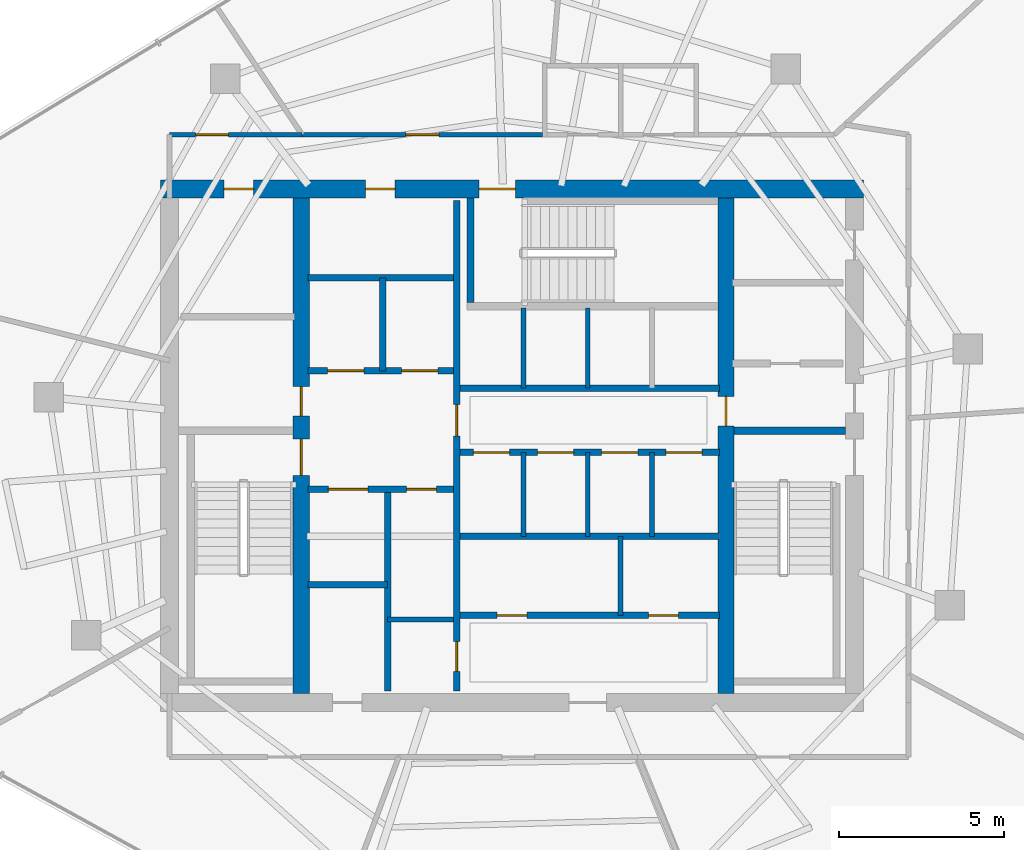
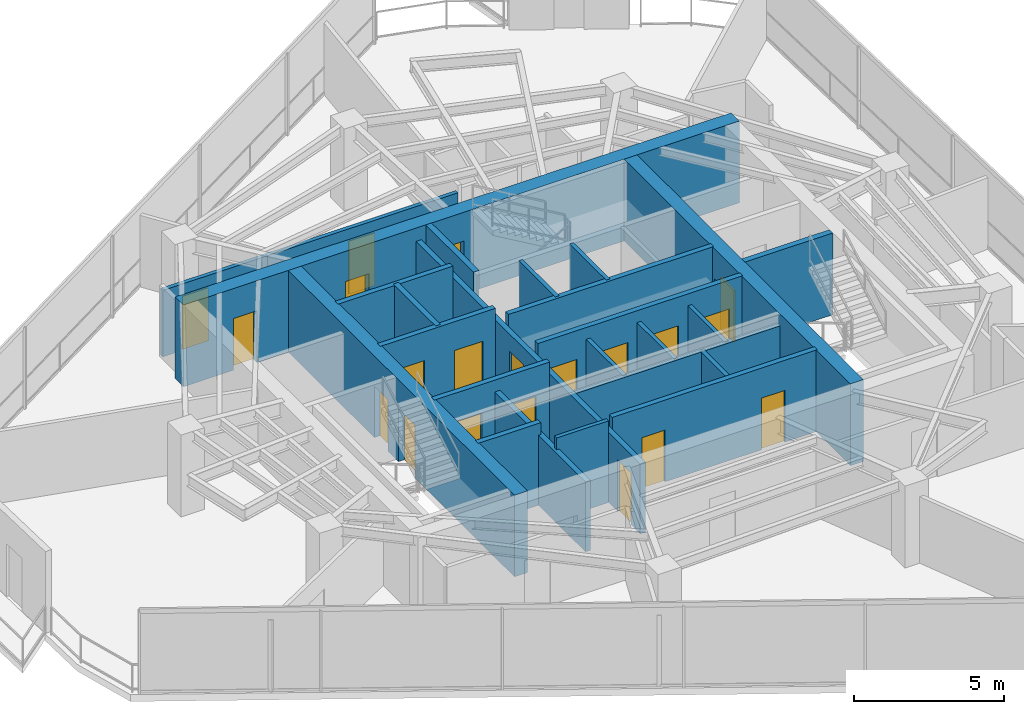
# One storey, part 15 of 19: 25 walls, 20 doors, 20 openings.
"""IFC4 building model written with IfcOpenShell, lengths in metres."""

from ifc_helpers import new_model, si_unit, direction, frame, frame_2d, origin, place, context, subcontext, project, spatial, rectangle, extrude, material, layer, layer_set, type_object, element, fill, save


model = new_model("IFC4")

# Units and contexts
model_context = context("Model", 3, precision=1e-05, world=origin(), true_north=direction((0.0, 1.0)))
body_context = subcontext(model_context, "Body", "Model", "MODEL_VIEW")
ifc_project = project(units=[si_unit("LENGTHUNIT", "METRE"), si_unit("AREAUNIT", "SQUARE_METRE"), si_unit("VOLUMEUNIT", "CUBIC_METRE"), si_unit("PLANEANGLEUNIT", "RADIAN"), si_unit("MASSUNIT", "GRAM", prefix="KILO")], contexts=[model_context])

# Site, building, storey
site_placement = place(None, origin())
site = spatial("IfcSite", under=ifc_project, at=site_placement, CompositionType="ELEMENT")
building_placement = place(site_placement, origin())
building = spatial("IfcBuilding", under=site, at=building_placement, Name="Qarnah Convention Tower", CompositionType="ELEMENT")
storey_placement = place(building_placement, frame((0.0, 0.0, 184.199951171875)))
storey = spatial("IfcBuildingStorey", under=building, at=storey_placement, Name="L49", CompositionType="ELEMENT", Elevation=184.199951171875)

# Wall, openings, doors
ifc_material_1 = material(Name="Concrete C60/75", Category="concrete")
ifc_layer_1 = layer(ifc_material_1, 0.550048828125)
ifc_layer_set_1 = layer_set([ifc_layer_1], Name="Concrete C60/75")
wall_type_1 = type_object("IfcWallType", Name="WL-CORE-550", PredefinedType="SHEAR", material=ifc_layer_set_1)
wall_1_placement = place(storey_placement, frame((26.52490234375, 34.199951171875, 0.0), z_axis=(0.0, 0.0, 1.0), x_axis=(1.0, 0.0, 0.0)))
wall_1 = element("IfcWall", 1, at=wall_1_placement, inside=storey, type_object=wall_type_1, Name="L49 core north shear wall", PredefinedType="SHEAR", context=body_context, shape_type="SweptSolid", body=[
    extrude(rectangle(XDim=21.35009765625, YDim=0.550048828125, at=frame_2d((10.675048828125, 0.0))), origin(), (0.0, 0.0, 1.0), 3.320068359375),
])
opening_1_placement = place(wall_1_placement, frame((9.675048828125, 0.0, 0.0)))
opening_1 = element("IfcOpeningElement", 2, at=opening_1_placement, cuts=wall_1, Name="Opening D-4903", PredefinedType="OPENING", context=body_context, shape_type="SweptSolid", body=[
    extrude(rectangle(XDim=1.10009765625, YDim=2.14990234375, at=frame_2d((0.550048828125, 1.074951171875))), frame((0.0, 0.284912109375, 0.0), z_axis=(0.0, -1.0, 0.0), x_axis=(1.0, 0.0, 0.0)), (0.0, 0.0, 1.0), 0.570068359375),
])
opening_2_placement = place(wall_1_placement, frame((1.925048828125, 0.0, 0.0)))
opening_2 = element("IfcOpeningElement", 3, at=opening_2_placement, cuts=wall_1, Name="Opening D-4909", PredefinedType="OPENING", context=body_context, shape_type="SweptSolid", body=[
    extrude(rectangle(XDim=0.89990234375, YDim=2.10009765625, at=frame_2d((0.449951171875, 1.050048828125))), frame((0.0, 0.284912109375, 0.0), z_axis=(0.0, -1.0, 0.0), x_axis=(1.0, 0.0, 0.0)), (0.0, 0.0, 1.0), 0.570068359375),
])
opening_3_placement = place(wall_1_placement, frame((6.22509765625, 0.0, 0.0)))
opening_3 = element("IfcOpeningElement", 4, at=opening_3_placement, cuts=wall_1, Name="Opening D-4910", PredefinedType="OPENING", context=body_context, shape_type="SweptSolid", body=[
    extrude(rectangle(XDim=0.89990234375, YDim=2.10009765625, at=frame_2d((0.449951171875, 1.050048828125))), frame((0.0, 0.284912109375, 0.0), z_axis=(0.0, -1.0, 0.0), x_axis=(1.0, 0.0, 0.0)), (0.0, 0.0, 1.0), 0.570068359375),
])
ifc_material_2 = material(Name="Structural steel S355JR", Category="steel")
door_type_1 = type_object("IfcDoorType", Name="DT-RISER-900", OperationType="NOTDEFINED", PredefinedType="DOOR", material=ifc_material_2)
door_1_placement = place(opening_2_placement, origin())
door_1 = element("IfcDoor", 5, at=door_1_placement, inside=storey, type_object=door_type_1, Name="Door D-4909", OperationType="SINGLE_SWING_RIGHT", OverallHeight=2.10009765625, OverallWidth=0.89990234375, PredefinedType="DOOR", context=body_context, shape_type="SweptSolid", body=[
    extrude(rectangle(XDim=0.89990234375, YDim=2.10009765625, at=frame_2d((0.449951171875, 1.050048828125))), frame((0.0, 0.02490234375, 0.0), z_axis=(0.0, -1.0, 0.0), x_axis=(1.0, 0.0, 0.0)), (0.0, 0.0, 1.0), 0.050048828125),
])
fill(opening_2, door_1)
door_2_placement = place(opening_3_placement, origin())
door_2 = element("IfcDoor", 6, at=door_2_placement, inside=storey, type_object=door_type_1, Name="Door D-4910", OperationType="SINGLE_SWING_LEFT", OverallHeight=2.10009765625, OverallWidth=0.89990234375, PredefinedType="DOOR", context=body_context, shape_type="SweptSolid", body=[
    extrude(rectangle(XDim=0.89990234375, YDim=2.10009765625, at=frame_2d((0.449951171875, 1.050048828125))), frame((0.0, 0.02490234375, 0.0), z_axis=(0.0, -1.0, 0.0), x_axis=(1.0, 0.0, 0.0)), (0.0, 0.0, 1.0), 0.050048828125),
])
fill(opening_3, door_2)
door_type_2 = type_object("IfcDoorType", Name="DT-STAIR-1100", OperationType="NOTDEFINED", PredefinedType="DOOR", material=ifc_material_2)
door_3_placement = place(opening_1_placement, origin())
door_3 = element("IfcDoor", 7, at=door_3_placement, inside=storey, type_object=door_type_2, Name="Door D-4903", OperationType="SINGLE_SWING_RIGHT", OverallHeight=2.14990234375, OverallWidth=1.10009765625, PredefinedType="DOOR", context=body_context, shape_type="SweptSolid", body=[
    extrude(rectangle(XDim=1.10009765625, YDim=2.14990234375, at=frame_2d((0.550048828125, 1.074951171875))), frame((0.0, 0.02490234375, 0.0), z_axis=(0.0, -1.0, 0.0), x_axis=(1.0, 0.0, 0.0)), (0.0, 0.0, 1.0), 0.050048828125),
])
fill(opening_1, door_3)

ifc_layer_2 = layer(ifc_material_1, 0.5)
ifc_layer_set_2 = layer_set([ifc_layer_2], Name="Concrete C60/75")
wall_type_2 = type_object("IfcWallType", Name="WL-CORE-INT-400", PredefinedType="SHEAR", material=ifc_layer_set_2)
wall_2_placement = place(storey_placement, frame((30.800048828125, 18.875, 0.0), z_axis=(0.0, 0.0, 1.0), x_axis=(0.0, 1.0, 0.0)))
wall_2 = element("IfcWall", 8, at=wall_2_placement, inside=storey, type_object=wall_type_2, Name="L49 core west spine shear wall", PredefinedType="SHEAR", context=body_context, shape_type="SweptSolid", body=[
    extrude(rectangle(XDim=15.050048828125, YDim=0.5, at=frame_2d((7.52490234375, 0.0))), origin(), (0.0, 0.0, 1.0), 3.320068359375),
])
opening_4_placement = place(wall_2_placement, frame((6.625, 0.0, 0.0)))
opening_4 = element("IfcOpeningElement", 9, at=opening_4_placement, cuts=wall_2, Name="Opening D-4901", PredefinedType="OPENING", context=body_context, shape_type="SweptSolid", body=[
    extrude(rectangle(XDim=1.10009765625, YDim=2.14990234375, at=frame_2d((0.550048828125, 1.074951171875))), frame((0.0, 0.260009765625, 0.0), z_axis=(0.0, -1.0, 0.0), x_axis=(1.0, 0.0, 0.0)), (0.0, 0.0, 1.0), 0.52001953125),
])
opening_5_placement = place(wall_2_placement, frame((8.425048828125, 0.0, 0.0)))
opening_5 = element("IfcOpeningElement", 10, at=opening_5_placement, cuts=wall_2, Name="Opening D-4908", PredefinedType="OPENING", context=body_context, shape_type="SweptSolid", body=[
    extrude(rectangle(XDim=0.89990234375, YDim=2.10009765625, at=frame_2d((0.449951171875, 1.050048828125))), frame((0.0, 0.260009765625, 0.0), z_axis=(0.0, -1.0, 0.0), x_axis=(1.0, 0.0, 0.0)), (0.0, 0.0, 1.0), 0.52001953125),
])
door_4_placement = place(opening_5_placement, origin())
door_4 = element("IfcDoor", 11, at=door_4_placement, inside=storey, type_object=door_type_1, Name="Door D-4908", OperationType="SINGLE_SWING_LEFT", OverallHeight=2.10009765625, OverallWidth=0.89990234375, PredefinedType="DOOR", context=body_context, shape_type="SweptSolid", body=[
    extrude(rectangle(XDim=0.89990234375, YDim=2.10009765625, at=frame_2d((0.449951171875, 1.050048828125))), frame((0.0, 0.02490234375, 0.0), z_axis=(0.0, -1.0, 0.0), x_axis=(1.0, 0.0, 0.0)), (0.0, 0.0, 1.0), 0.050048828125),
])
fill(opening_5, door_4)
door_5_placement = place(opening_4_placement, origin())
door_5 = element("IfcDoor", 12, at=door_5_placement, inside=storey, type_object=door_type_2, Name="Door D-4901", OperationType="SINGLE_SWING_RIGHT", OverallHeight=2.14990234375, OverallWidth=1.10009765625, PredefinedType="DOOR", context=body_context, shape_type="SweptSolid", body=[
    extrude(rectangle(XDim=1.10009765625, YDim=2.14990234375, at=frame_2d((0.550048828125, 1.074951171875))), frame((0.0, 0.02490234375, 0.0), z_axis=(0.0, -1.0, 0.0), x_axis=(1.0, 0.0, 0.0)), (0.0, 0.0, 1.0), 0.050048828125),
])
fill(opening_4, door_5)

# Wall, opening, door
wall_3_placement = place(storey_placement, frame((43.699951171875, 18.875, 0.0), z_axis=(0.0, 0.0, 1.0), x_axis=(0.0, 1.0, 0.0)))
wall_3 = element("IfcWall", 13, at=wall_3_placement, inside=storey, type_object=wall_type_2, Name="L49 core east spine shear wall", PredefinedType="SHEAR", context=body_context, shape_type="SweptSolid", body=[
    extrude(rectangle(XDim=15.050048828125, YDim=0.5, at=frame_2d((7.52490234375, 0.0))), origin(), (0.0, 0.0, 1.0), 3.320068359375),
])
opening_6_placement = place(wall_3_placement, frame((8.125, 0.0, 0.0)))
opening_6 = element("IfcOpeningElement", 14, at=opening_6_placement, cuts=wall_3, Name="Opening D-4905", PredefinedType="OPENING", context=body_context, shape_type="SweptSolid", body=[
    extrude(rectangle(XDim=0.89990234375, YDim=2.10009765625, at=frame_2d((0.449951171875, 1.050048828125))), frame((0.0, 0.260009765625, 0.0), z_axis=(0.0, -1.0, 0.0), x_axis=(1.0, 0.0, 0.0)), (0.0, 0.0, 1.0), 0.52001953125),
])
door_6_placement = place(opening_6_placement, origin())
door_6 = element("IfcDoor", 15, at=door_6_placement, inside=storey, type_object=door_type_1, Name="Door D-4905", OperationType="SINGLE_SWING_RIGHT", OverallHeight=2.10009765625, OverallWidth=0.89990234375, PredefinedType="DOOR", context=body_context, shape_type="SweptSolid", body=[
    extrude(rectangle(XDim=0.89990234375, YDim=2.10009765625, at=frame_2d((0.449951171875, 1.050048828125))), frame((0.0, 0.02490234375, 0.0), z_axis=(0.0, -1.0, 0.0), x_axis=(1.0, 0.0, 0.0)), (0.0, 0.0, 1.0), 0.050048828125),
])
fill(opening_6, door_6)

# Wall, openings, doors
ifc_material_3 = material(Name="Concrete C45/55", Category="concrete")
ifc_layer_3 = layer(ifc_material_3, 0.199951171875)
ifc_layer_set_3 = layer_set([ifc_layer_3], Name="Concrete C45/55")
wall_type_3 = type_object("IfcWallType", Name="WL-CORE-PART-200", PredefinedType="SOLIDWALL", material=ifc_layer_set_3)
wall_4_placement = place(storey_placement, frame((35.52001953125, 18.949951171875, 0.0), z_axis=(0.0, 0.0, 1.0), x_axis=(0.0, 1.0, 0.0)))
wall_4 = element("IfcWall", 16, at=wall_4_placement, inside=storey, type_object=wall_type_3, Name="L49 interior wall IW-L49-CSP", PredefinedType="SOLIDWALL", context=body_context, shape_type="SweptSolid", body=[
    extrude(rectangle(XDim=14.900146484375, YDim=0.199951171875, at=frame_2d((7.4501953125, 0.0))), origin(), (0.0, 0.0, 1.0), 2.841064453125),
])
opening_7_placement = place(wall_4_placement, frame((7.7548828125, 0.0, 0.0)))
opening_7 = element("IfcOpeningElement", 17, at=opening_7_placement, cuts=wall_4, Name="Opening D-4904", PredefinedType="OPENING", context=body_context, shape_type="SweptSolid", body=[
    extrude(rectangle(XDim=0.949951171875, YDim=2.14990234375, at=frame_2d((0.47509765625, 1.074951171875))), frame((0.0, 0.10986328125, 0.0), z_axis=(0.0, -1.0, 0.0), x_axis=(1.0, 0.0, 0.0)), (0.0, 0.0, 1.0), 0.219970703125),
])
opening_8_placement = place(wall_4_placement, frame((0.60009765625, 0.0, 0.0)))
opening_8 = element("IfcOpeningElement", 18, at=opening_8_placement, cuts=wall_4, Name="Opening D-4914", PredefinedType="OPENING", context=body_context, shape_type="SweptSolid", body=[
    extrude(rectangle(XDim=0.89990234375, YDim=2.10009765625, at=frame_2d((0.449951171875, 1.050048828125))), frame((0.0, 0.10986328125, 0.0), z_axis=(0.0, -1.0, 0.0), x_axis=(1.0, 0.0, 0.0)), (0.0, 0.0, 1.0), 0.219970703125),
])
ifc_material_4 = material(Name="Oak timber veneer", Category="wood")
door_type_3 = type_object("IfcDoorType", Name="DT-HOTEL-950", OperationType="NOTDEFINED", PredefinedType="DOOR", material=ifc_material_4)
door_7_placement = place(opening_7_placement, origin())
door_7 = element("IfcDoor", 19, at=door_7_placement, inside=storey, type_object=door_type_3, Name="Door D-4904", OperationType="SINGLE_SWING_LEFT", OverallHeight=2.14990234375, OverallWidth=0.949951171875, PredefinedType="DOOR", context=body_context, shape_type="SweptSolid", body=[
    extrude(rectangle(XDim=0.949951171875, YDim=2.14990234375, at=frame_2d((0.47509765625, 1.074951171875))), frame((0.0, 0.02490234375, 0.0), z_axis=(0.0, -1.0, 0.0), x_axis=(1.0, 0.0, 0.0)), (0.0, 0.0, 1.0), 0.050048828125),
])
fill(opening_7, door_7)
door_8_placement = place(opening_8_placement, origin())
door_8 = element("IfcDoor", 20, at=door_8_placement, inside=storey, type_object=door_type_1, Name="Door D-4914", OperationType="SINGLE_SWING_LEFT", OverallHeight=2.10009765625, OverallWidth=0.89990234375, PredefinedType="DOOR", context=body_context, shape_type="SweptSolid", body=[
    extrude(rectangle(XDim=0.89990234375, YDim=2.10009765625, at=frame_2d((0.449951171875, 1.050048828125))), frame((0.0, 0.02490234375, 0.0), z_axis=(0.0, -1.0, 0.0), x_axis=(1.0, 0.0, 0.0)), (0.0, 0.0, 1.0), 0.050048828125),
])
fill(opening_8, door_8)

wall_5_placement = place(storey_placement, frame((31.0, 28.679931640625, 0.0), z_axis=(0.0, 0.0, 1.0), x_axis=(1.0, 0.0, 0.0)))
wall_5 = element("IfcWall", 21, at=wall_5_placement, inside=storey, type_object=wall_type_3, Name="L49 interior wall IW-L49-FFLS", PredefinedType="SOLIDWALL", context=body_context, shape_type="SweptSolid", body=[
    extrude(rectangle(XDim=4.419921875, YDim=0.199951171875, at=frame_2d((2.2099609375, 0.0))), origin(), (0.0, 0.0, 1.0), 3.320068359375),
])
opening_9_placement = place(wall_5_placement, frame((0.60009765625, 0.0, 0.0)))
opening_9 = element("IfcOpeningElement", 22, at=opening_9_placement, cuts=wall_5, Name="Opening LD-4901", PredefinedType="OPENING", context=body_context, shape_type="SweptSolid", body=[
    extrude(rectangle(XDim=1.10009765625, YDim=2.14990234375, at=frame_2d((0.550048828125, 1.074951171875))), frame((0.0, 0.10986328125, 0.0), z_axis=(0.0, -1.0, 0.0), x_axis=(1.0, 0.0, 0.0)), (0.0, 0.0, 1.0), 0.219970703125),
])
opening_10_placement = place(wall_5_placement, frame((2.85009765625, 0.0, 0.0)))
opening_10 = element("IfcOpeningElement", 23, at=opening_10_placement, cuts=wall_5, Name="Opening LD-4902", PredefinedType="OPENING", context=body_context, shape_type="SweptSolid", body=[
    extrude(rectangle(XDim=1.10009765625, YDim=2.14990234375, at=frame_2d((0.550048828125, 1.074951171875))), frame((0.0, 0.10986328125, 0.0), z_axis=(0.0, -1.0, 0.0), x_axis=(1.0, 0.0, 0.0)), (0.0, 0.0, 1.0), 0.219970703125),
])
door_type_4 = type_object("IfcDoorType", Name="DT-LIFT-1100", OperationType="SLIDING_TO_LEFT", PredefinedType="DOOR", material=ifc_material_2)
door_9_placement = place(opening_9_placement, origin())
door_9 = element("IfcDoor", 24, at=door_9_placement, inside=storey, type_object=door_type_4, Name="Door LD-4901", OperationType="SLIDING_TO_LEFT", OverallHeight=2.14990234375, OverallWidth=1.10009765625, PredefinedType="DOOR", context=body_context, shape_type="SweptSolid", body=[
    extrude(rectangle(XDim=1.10009765625, YDim=2.14990234375, at=frame_2d((0.550048828125, 1.074951171875))), frame((0.0, 0.02490234375, 0.0), z_axis=(0.0, -1.0, 0.0), x_axis=(1.0, 0.0, 0.0)), (0.0, 0.0, 1.0), 0.050048828125),
])
fill(opening_9, door_9)
door_10_placement = place(opening_10_placement, origin())
door_10 = element("IfcDoor", 25, at=door_10_placement, inside=storey, type_object=door_type_4, Name="Door LD-4902", OperationType="SLIDING_TO_LEFT", OverallHeight=2.14990234375, OverallWidth=1.10009765625, PredefinedType="DOOR", context=body_context, shape_type="SweptSolid", body=[
    extrude(rectangle(XDim=1.10009765625, YDim=2.14990234375, at=frame_2d((0.550048828125, 1.074951171875))), frame((0.0, 0.02490234375, 0.0), z_axis=(0.0, -1.0, 0.0), x_axis=(1.0, 0.0, 0.0)), (0.0, 0.0, 1.0), 0.050048828125),
])
fill(opening_10, door_10)

# Walls
wall_6_placement = place(storey_placement, frame((31.0, 31.5, 0.0), z_axis=(0.0, 0.0, 1.0), x_axis=(1.0, 0.0, 0.0)))
element("IfcWall", 26, at=wall_6_placement, inside=storey, type_object=wall_type_3, Name="L49 interior wall IW-L49-FFLN", PredefinedType="SOLIDWALL", context=body_context, shape_type="SweptSolid", body=[
    extrude(rectangle(XDim=4.419921875, YDim=0.199951171875, at=frame_2d((2.2099609375, 0.0))), origin(), (0.0, 0.0, 1.0), 3.320068359375),
])
wall_7_placement = place(storey_placement, frame((33.280029296875, 28.679931640625, 0.0), z_axis=(0.0, 0.0, 1.0), x_axis=(0.0, 1.0, 0.0)))
element("IfcWall", 27, at=wall_7_placement, inside=storey, type_object=wall_type_3, Name="L49 interior wall IW-L49-FFLM", PredefinedType="SOLIDWALL", context=body_context, shape_type="SweptSolid", body=[
    extrude(rectangle(XDim=2.820068359375, YDim=0.199951171875, at=frame_2d((1.41015625, 0.0))), origin(), (0.0, 0.0, 1.0), 3.320068359375),
])

# Wall, openings, doors
wall_8_placement = place(storey_placement, frame((31.0, 25.080078125, 0.0), z_axis=(0.0, 0.0, 1.0), x_axis=(1.0, 0.0, 0.0)))
wall_8 = element("IfcWall", 28, at=wall_8_placement, inside=storey, type_object=wall_type_3, Name="L49 interior wall IW-L49-FFLBS", PredefinedType="SOLIDWALL", context=body_context, shape_type="SweptSolid", body=[
    extrude(rectangle(XDim=4.419921875, YDim=0.199951171875, at=frame_2d((2.2099609375, 0.0))), origin(), (0.0, 0.0, 1.0), 3.320068359375),
])
opening_11_placement = place(wall_8_placement, frame((3.0, 0.0, 0.0)))
opening_11 = element("IfcOpeningElement", 29, at=opening_11_placement, cuts=wall_8, Name="Opening D-4915", PredefinedType="OPENING", context=body_context, shape_type="SweptSolid", body=[
    extrude(rectangle(XDim=0.89990234375, YDim=2.10009765625, at=frame_2d((0.449951171875, 1.050048828125))), frame((0.0, 0.10986328125, 0.0), z_axis=(0.0, -1.0, 0.0), x_axis=(1.0, 0.0, 0.0)), (0.0, 0.0, 1.0), 0.219970703125),
])
opening_12_placement = place(wall_8_placement, frame((0.6201171875, 0.0, 0.0)))
opening_12 = element("IfcOpeningElement", 30, at=opening_12_placement, cuts=wall_8, Name="Opening LD-4903", PredefinedType="OPENING", context=body_context, shape_type="SweptSolid", body=[
    extrude(rectangle(XDim=1.199951171875, YDim=2.14990234375, at=frame_2d((0.60009765625, 1.074951171875))), frame((0.0, 0.10986328125, 0.0), z_axis=(0.0, -1.0, 0.0), x_axis=(1.0, 0.0, 0.0)), (0.0, 0.0, 1.0), 0.219970703125),
])
door_type_5 = type_object("IfcDoorType", Name="DT-LIFT-1200", OperationType="SLIDING_TO_LEFT", PredefinedType="DOOR", material=ifc_material_2)
door_11_placement = place(opening_12_placement, origin())
door_11 = element("IfcDoor", 31, at=door_11_placement, inside=storey, type_object=door_type_5, Name="Door LD-4903", OperationType="SLIDING_TO_LEFT", OverallHeight=2.14990234375, OverallWidth=1.199951171875, PredefinedType="DOOR", context=body_context, shape_type="SweptSolid", body=[
    extrude(rectangle(XDim=1.199951171875, YDim=2.14990234375, at=frame_2d((0.60009765625, 1.074951171875))), frame((0.0, 0.02490234375, 0.0), z_axis=(0.0, -1.0, 0.0), x_axis=(1.0, 0.0, 0.0)), (0.0, 0.0, 1.0), 0.050048828125),
])
fill(opening_12, door_11)
door_12_placement = place(opening_11_placement, origin())
door_12 = element("IfcDoor", 32, at=door_12_placement, inside=storey, type_object=door_type_1, Name="Door D-4915", OperationType="SINGLE_SWING_RIGHT", OverallHeight=2.10009765625, OverallWidth=0.89990234375, PredefinedType="DOOR", context=body_context, shape_type="SweptSolid", body=[
    extrude(rectangle(XDim=0.89990234375, YDim=2.10009765625, at=frame_2d((0.449951171875, 1.050048828125))), frame((0.0, 0.02490234375, 0.0), z_axis=(0.0, -1.0, 0.0), x_axis=(1.0, 0.0, 0.0)), (0.0, 0.0, 1.0), 0.050048828125),
])
fill(opening_11, door_12)

# Walls
wall_9_placement = place(storey_placement, frame((33.419921875, 18.949951171875, 0.0), z_axis=(0.0, 0.0, 1.0), x_axis=(0.0, 1.0, 0.0)))
element("IfcWall", 33, at=wall_9_placement, inside=storey, type_object=wall_type_3, Name="L49 interior wall IW-L49-SVLE", PredefinedType="SOLIDWALL", context=body_context, shape_type="SweptSolid", body=[
    extrude(rectangle(XDim=6.130126953125, YDim=0.199951171875, at=frame_2d((3.06494140625, 0.0))), origin(), (0.0, 0.0, 1.0), 2.841064453125),
])
wall_10_placement = place(storey_placement, frame((31.0, 22.179931640625, 0.0), z_axis=(0.0, 0.0, 1.0), x_axis=(1.0, 0.0, 0.0)))
element("IfcWall", 34, at=wall_10_placement, inside=storey, type_object=wall_type_3, Name="L49 interior wall IW-L49-SVLS", PredefinedType="SOLIDWALL", context=body_context, shape_type="SweptSolid", body=[
    extrude(rectangle(XDim=2.419921875, YDim=0.199951171875, at=frame_2d((1.2099609375, 0.0))), origin(), (0.0, 0.0, 1.0), 3.320068359375),
])
wall_11_placement = place(storey_placement, frame((35.6201171875, 28.14990234375, 0.0), z_axis=(0.0, 0.0, 1.0), x_axis=(1.0, 0.0, 0.0)))
element("IfcWall", 35, at=wall_11_placement, inside=storey, type_object=wall_type_3, Name="L49 interior wall IW-L49-PHS", PredefinedType="SOLIDWALL", context=body_context, shape_type="SweptSolid", body=[
    extrude(rectangle(XDim=7.8798828125, YDim=0.199951171875, at=frame_2d((3.93994140625, 0.0))), origin(), (0.0, 0.0, 1.0), 3.320068359375),
])

# Wall, openings, doors
wall_12_placement = place(storey_placement, frame((35.6201171875, 26.199951171875, 0.0), z_axis=(0.0, 0.0, 1.0), x_axis=(1.0, 0.0, 0.0)))
wall_12 = element("IfcWall", 36, at=wall_12_placement, inside=storey, type_object=wall_type_3, Name="L49 interior wall IW-L49-PMN", PredefinedType="SOLIDWALL", context=body_context, shape_type="SweptSolid", body=[
    extrude(rectangle(XDim=7.8798828125, YDim=0.199951171875, at=frame_2d((3.93994140625, 0.0))), origin(), (0.0, 0.0, 1.0), 3.320068359375),
])
opening_13_placement = place(wall_12_placement, frame((0.405029296875, 0.0, 0.0)))
opening_13 = element("IfcOpeningElement", 37, at=opening_13_placement, cuts=wall_12, Name="Opening LD-4904", PredefinedType="OPENING", context=body_context, shape_type="SweptSolid", body=[
    extrude(rectangle(XDim=1.10009765625, YDim=2.14990234375, at=frame_2d((0.550048828125, 1.074951171875))), frame((0.0, 0.10986328125, 0.0), z_axis=(0.0, -1.0, 0.0), x_axis=(1.0, 0.0, 0.0)), (0.0, 0.0, 1.0), 0.219970703125),
])
opening_14_placement = place(wall_12_placement, frame((2.35498046875, 0.0, 0.0)))
opening_14 = element("IfcOpeningElement", 38, at=opening_14_placement, cuts=wall_12, Name="Opening LD-4905", PredefinedType="OPENING", context=body_context, shape_type="SweptSolid", body=[
    extrude(rectangle(XDim=1.10009765625, YDim=2.14990234375, at=frame_2d((0.550048828125, 1.074951171875))), frame((0.0, 0.10986328125, 0.0), z_axis=(0.0, -1.0, 0.0), x_axis=(1.0, 0.0, 0.0)), (0.0, 0.0, 1.0), 0.219970703125),
])
opening_15_placement = place(wall_12_placement, frame((4.304931640625, 0.0, 0.0)))
opening_15 = element("IfcOpeningElement", 39, at=opening_15_placement, cuts=wall_12, Name="Opening LD-4906", PredefinedType="OPENING", context=body_context, shape_type="SweptSolid", body=[
    extrude(rectangle(XDim=1.10009765625, YDim=2.14990234375, at=frame_2d((0.550048828125, 1.074951171875))), frame((0.0, 0.10986328125, 0.0), z_axis=(0.0, -1.0, 0.0), x_axis=(1.0, 0.0, 0.0)), (0.0, 0.0, 1.0), 0.219970703125),
])
opening_16_placement = place(wall_12_placement, frame((6.2548828125, 0.0, 0.0)))
opening_16 = element("IfcOpeningElement", 40, at=opening_16_placement, cuts=wall_12, Name="Opening LD-4907", PredefinedType="OPENING", context=body_context, shape_type="SweptSolid", body=[
    extrude(rectangle(XDim=1.10009765625, YDim=2.14990234375, at=frame_2d((0.550048828125, 1.074951171875))), frame((0.0, 0.10986328125, 0.0), z_axis=(0.0, -1.0, 0.0), x_axis=(1.0, 0.0, 0.0)), (0.0, 0.0, 1.0), 0.219970703125),
])
door_13_placement = place(opening_13_placement, origin())
door_13 = element("IfcDoor", 41, at=door_13_placement, inside=storey, type_object=door_type_4, Name="Door LD-4904", OperationType="SLIDING_TO_LEFT", OverallHeight=2.14990234375, OverallWidth=1.10009765625, PredefinedType="DOOR", context=body_context, shape_type="SweptSolid", body=[
    extrude(rectangle(XDim=1.10009765625, YDim=2.14990234375, at=frame_2d((0.550048828125, 1.074951171875))), frame((0.0, 0.02490234375, 0.0), z_axis=(0.0, -1.0, 0.0), x_axis=(1.0, 0.0, 0.0)), (0.0, 0.0, 1.0), 0.050048828125),
])
fill(opening_13, door_13)
door_14_placement = place(opening_14_placement, origin())
door_14 = element("IfcDoor", 42, at=door_14_placement, inside=storey, type_object=door_type_4, Name="Door LD-4905", OperationType="SLIDING_TO_LEFT", OverallHeight=2.14990234375, OverallWidth=1.10009765625, PredefinedType="DOOR", context=body_context, shape_type="SweptSolid", body=[
    extrude(rectangle(XDim=1.10009765625, YDim=2.14990234375, at=frame_2d((0.550048828125, 1.074951171875))), frame((0.0, 0.02490234375, 0.0), z_axis=(0.0, -1.0, 0.0), x_axis=(1.0, 0.0, 0.0)), (0.0, 0.0, 1.0), 0.050048828125),
])
fill(opening_14, door_14)
door_15_placement = place(opening_15_placement, origin())
door_15 = element("IfcDoor", 43, at=door_15_placement, inside=storey, type_object=door_type_4, Name="Door LD-4906", OperationType="SLIDING_TO_LEFT", OverallHeight=2.14990234375, OverallWidth=1.10009765625, PredefinedType="DOOR", context=body_context, shape_type="SweptSolid", body=[
    extrude(rectangle(XDim=1.10009765625, YDim=2.14990234375, at=frame_2d((0.550048828125, 1.074951171875))), frame((0.0, 0.02490234375, 0.0), z_axis=(0.0, -1.0, 0.0), x_axis=(1.0, 0.0, 0.0)), (0.0, 0.0, 1.0), 0.050048828125),
])
fill(opening_15, door_15)
door_16_placement = place(opening_16_placement, origin())
door_16 = element("IfcDoor", 44, at=door_16_placement, inside=storey, type_object=door_type_4, Name="Door LD-4907", OperationType="SLIDING_TO_LEFT", OverallHeight=2.14990234375, OverallWidth=1.10009765625, PredefinedType="DOOR", context=body_context, shape_type="SweptSolid", body=[
    extrude(rectangle(XDim=1.10009765625, YDim=2.14990234375, at=frame_2d((0.550048828125, 1.074951171875))), frame((0.0, 0.02490234375, 0.0), z_axis=(0.0, -1.0, 0.0), x_axis=(1.0, 0.0, 0.0)), (0.0, 0.0, 1.0), 0.050048828125),
])
fill(opening_16, door_16)

# Wall
wall_13_placement = place(storey_placement, frame((35.6201171875, 23.64990234375, 0.0), z_axis=(0.0, 0.0, 1.0), x_axis=(1.0, 0.0, 0.0)))
element("IfcWall", 45, at=wall_13_placement, inside=storey, type_object=wall_type_3, Name="L49 interior wall IW-L49-PMPL", PredefinedType="SOLIDWALL", context=body_context, shape_type="SweptSolid", body=[
    extrude(rectangle(XDim=7.8798828125, YDim=0.199951171875, at=frame_2d((3.93994140625, 0.0))), origin(), (0.0, 0.0, 1.0), 2.841064453125),
])

# Wall, openings, doors
wall_14_placement = place(storey_placement, frame((35.6201171875, 21.25, 0.0), z_axis=(0.0, 0.0, 1.0), x_axis=(1.0, 0.0, 0.0)))
wall_14 = element("IfcWall", 46, at=wall_14_placement, inside=storey, type_object=wall_type_3, Name="L49 interior wall IW-L49-PLS", PredefinedType="SOLIDWALL", context=body_context, shape_type="SweptSolid", body=[
    extrude(rectangle(XDim=7.8798828125, YDim=0.199951171875, at=frame_2d((3.93994140625, 0.0))), origin(), (0.0, 0.0, 1.0), 3.320068359375),
])
opening_17_placement = place(wall_14_placement, frame((1.1298828125, 0.0, 0.0)))
opening_17 = element("IfcOpeningElement", 47, at=opening_17_placement, cuts=wall_14, Name="Opening D-4916", PredefinedType="OPENING", context=body_context, shape_type="SweptSolid", body=[
    extrude(rectangle(XDim=0.89990234375, YDim=2.10009765625, at=frame_2d((0.449951171875, 1.050048828125))), frame((0.0, 0.10986328125, 0.0), z_axis=(0.0, -1.0, 0.0), x_axis=(1.0, 0.0, 0.0)), (0.0, 0.0, 1.0), 0.219970703125),
])
opening_18_placement = place(wall_14_placement, frame((5.72998046875, 0.0, 0.0)))
opening_18 = element("IfcOpeningElement", 48, at=opening_18_placement, cuts=wall_14, Name="Opening D-4917", PredefinedType="OPENING", context=body_context, shape_type="SweptSolid", body=[
    extrude(rectangle(XDim=0.89990234375, YDim=2.10009765625, at=frame_2d((0.449951171875, 1.050048828125))), frame((0.0, 0.10986328125, 0.0), z_axis=(0.0, -1.0, 0.0), x_axis=(1.0, 0.0, 0.0)), (0.0, 0.0, 1.0), 0.219970703125),
])
door_17_placement = place(opening_17_placement, origin())
door_17 = element("IfcDoor", 49, at=door_17_placement, inside=storey, type_object=door_type_1, Name="Door D-4916", OperationType="SINGLE_SWING_LEFT", OverallHeight=2.10009765625, OverallWidth=0.89990234375, PredefinedType="DOOR", context=body_context, shape_type="SweptSolid", body=[
    extrude(rectangle(XDim=0.89990234375, YDim=2.10009765625, at=frame_2d((0.449951171875, 1.050048828125))), frame((0.0, 0.02490234375, 0.0), z_axis=(0.0, -1.0, 0.0), x_axis=(1.0, 0.0, 0.0)), (0.0, 0.0, 1.0), 0.050048828125),
])
fill(opening_17, door_17)
door_18_placement = place(opening_18_placement, origin())
door_18 = element("IfcDoor", 50, at=door_18_placement, inside=storey, type_object=door_type_1, Name="Door D-4917", OperationType="SINGLE_SWING_RIGHT", OverallHeight=2.10009765625, OverallWidth=0.89990234375, PredefinedType="DOOR", context=body_context, shape_type="SweptSolid", body=[
    extrude(rectangle(XDim=0.89990234375, YDim=2.10009765625, at=frame_2d((0.449951171875, 1.050048828125))), frame((0.0, 0.02490234375, 0.0), z_axis=(0.0, -1.0, 0.0), x_axis=(1.0, 0.0, 0.0)), (0.0, 0.0, 1.0), 0.050048828125),
])
fill(opening_18, door_18)

# Walls
ifc_layer_4 = layer(ifc_material_1, 0.219970703125)
ifc_layer_set_4 = layer_set([ifc_layer_4], Name="Concrete C60/75")
wall_type_4 = type_object("IfcWallType", Name="WL-CORE-STAIR-220", PredefinedType="SHEAR", material=ifc_layer_set_4)
wall_15_placement = place(storey_placement, frame((43.949951171875, 26.860107421875, 0.0), z_axis=(0.0, 0.0, 1.0), x_axis=(1.0, 0.0, 0.0)))
element("IfcWall", 51, at=wall_15_placement, inside=storey, type_object=wall_type_4, Name="L49 stair shaft shear wall SW-L49-ST2N", PredefinedType="SHEAR", context=body_context, shape_type="SweptSolid", body=[
    extrude(rectangle(XDim=3.375, YDim=0.219970703125, at=frame_2d((1.6875, 0.0))), origin(), (0.0, 0.0, 1.0), 3.320068359375),
])
wall_16_placement = place(storey_placement, frame((35.93994140625, 30.75, 0.0), z_axis=(0.0, 0.0, 1.0), x_axis=(0.0, 1.0, 0.0)))
element("IfcWall", 52, at=wall_16_placement, inside=storey, type_object=wall_type_4, Name="L49 stair shaft shear wall SW-L49-ST3W", PredefinedType="SHEAR", context=body_context, shape_type="SweptSolid", body=[
    extrude(rectangle(XDim=3.175048828125, YDim=0.219970703125, at=frame_2d((1.58740234375, 0.0))), origin(), (0.0, 0.0, 1.0), 3.320068359375),
])
ifc_material_5 = material(Name="Gypsum partition board")
ifc_layer_5 = layer(ifc_material_5, 0.14990234375)
ifc_layer_set_5 = layer_set([ifc_layer_5], Name="Gypsum partition board")
wall_type_5 = type_object("IfcWallType", Name="WL-SUITE-150", PredefinedType="PARTITIONING", material=ifc_layer_set_5)
wall_17_placement = place(storey_placement, frame((33.419921875, 21.1201171875, 0.0), z_axis=(0.0, 0.0, 1.0), x_axis=(1.0, 0.0, 0.0)))
element("IfcWall", 53, at=wall_17_placement, inside=storey, type_object=wall_type_5, Name="L49 interior wall IW-L49-CSV1", PredefinedType="PARTITIONING", context=body_context, shape_type="SweptSolid", body=[
    extrude(rectangle(XDim=2.0, YDim=0.14990234375, at=frame_2d((1.0, 0.0))), origin(), (0.0, 0.0, 1.0), 3.320068359375),
])
for number, where, z_axis, x_axis, name in (
    (54, (37.550048828125, 28.14990234375, 0.0), (0.0, 0.0, 1.0), (0.0, 1.0, 0.0), "L49 interior wall IW-L49-PHD1"),
    (55, (39.5, 28.14990234375, 0.0), (0.0, 0.0, 1.0), (0.0, 1.0, 0.0), "L49 interior wall IW-L49-PHD2"),
):
    element("IfcWall", number, at=place(storey_placement, frame(where, z_axis=z_axis, x_axis=x_axis)), inside=storey, type_object=wall_type_5, Name=name, PredefinedType="PARTITIONING", context=body_context, shape_type="SweptSolid", body=[
        extrude(rectangle(XDim=2.43017578125, YDim=0.14990234375, at=frame_2d((1.215087890625, 0.0))), origin(), (0.0, 0.0, 1.0), 3.320068359375),
    ])
for number, where, z_axis, x_axis, name in (
    (56, (37.550048828125, 23.64990234375, 0.0), (0.0, 0.0, 1.0), (0.0, 1.0, 0.0), "L49 interior wall IW-L49-PMD1"),
    (57, (39.5, 23.64990234375, 0.0), (0.0, 0.0, 1.0), (0.0, 1.0, 0.0), "L49 interior wall IW-L49-PMD2"),
    (58, (41.449951171875, 23.64990234375, 0.0), (0.0, 0.0, 1.0), (0.0, 1.0, 0.0), "L49 interior wall IW-L49-PMD3"),
):
    element("IfcWall", number, at=place(storey_placement, frame(where, z_axis=z_axis, x_axis=x_axis)), inside=storey, type_object=wall_type_5, Name=name, PredefinedType="PARTITIONING", context=body_context, shape_type="SweptSolid", body=[
        extrude(rectangle(XDim=2.550048828125, YDim=0.14990234375, at=frame_2d((1.27490234375, 0.0))), origin(), (0.0, 0.0, 1.0), 2.841064453125),
    ])
wall_18_placement = place(storey_placement, frame((40.5, 21.25, 0.0), z_axis=(0.0, 0.0, 1.0), x_axis=(0.0, 1.0, 0.0)))
element("IfcWall", 59, at=wall_18_placement, inside=storey, type_object=wall_type_5, Name="L49 interior wall IW-L49-PLFD", PredefinedType="PARTITIONING", context=body_context, shape_type="SweptSolid", body=[
    extrude(rectangle(XDim=2.39990234375, YDim=0.14990234375, at=frame_2d((1.199951171875, 0.0))), origin(), (0.0, 0.0, 1.0), 2.841064453125),
])

# Wall, opening, door
wall_19_placement = place(storey_placement, frame((30.825927734375, 35.85009765625, 0.0), z_axis=(0.0, 0.0, 1.0), x_axis=(1.0, 0.0, 0.0)))
wall_19 = element("IfcWall", 60, at=wall_19_placement, inside=storey, type_object=wall_type_5, Name="L49 interior wall IW-L49-R-16", PredefinedType="PARTITIONING", context=body_context, shape_type="SweptSolid", body=[
    extrude(rectangle(XDim=7.303955078125, YDim=0.14990234375, at=frame_2d((3.65185546875, 0.0))), origin(), (0.0, 0.0, 1.0), 2.697021484375),
])
opening_19_placement = place(wall_19_placement, frame((3.152099609375, 0.0, 0.0)))
opening_19 = element("IfcOpeningElement", 61, at=opening_19_placement, cuts=wall_19, Name="Opening D-4922", PredefinedType="OPENING", context=body_context, shape_type="SweptSolid", body=[
    extrude(rectangle(XDim=1.0, YDim=2.14990234375, at=frame_2d((0.5, 1.074951171875))), frame((0.0, 0.0849609375, 0.0), z_axis=(0.0, -1.0, 0.0), x_axis=(1.0, 0.0, 0.0)), (0.0, 0.0, 1.0), 0.169921875),
])
door_type_6 = type_object("IfcDoorType", Name="DT-OFFICE-1000", OperationType="NOTDEFINED", PredefinedType="DOOR", material=ifc_material_4)
door_19_placement = place(opening_19_placement, origin())
door_19 = element("IfcDoor", 62, at=door_19_placement, inside=storey, type_object=door_type_6, Name="Door D-4922", OperationType="SINGLE_SWING_LEFT", OverallHeight=2.14990234375, OverallWidth=1.0, PredefinedType="DOOR", context=body_context, shape_type="SweptSolid", body=[
    extrude(rectangle(XDim=1.0, YDim=2.14990234375, at=frame_2d((0.5, 1.074951171875))), frame((0.0, 0.02490234375, 0.0), z_axis=(0.0, -1.0, 0.0), x_axis=(1.0, 0.0, 0.0)), (0.0, 0.0, 1.0), 0.050048828125),
])
fill(opening_19, door_19)

wall_20_placement = place(storey_placement, frame((26.800048828125, 35.85009765625, 0.0), z_axis=(0.0, 0.0, 1.0), x_axis=(1.0, 0.0, 0.0)))
wall_20 = element("IfcWall", 63, at=wall_20_placement, inside=storey, type_object=wall_type_5, Name="L49 interior wall IW-L49-R-19", PredefinedType="PARTITIONING", context=body_context, shape_type="SweptSolid", body=[
    extrude(rectangle(XDim=4.02587890625, YDim=0.14990234375, at=frame_2d((2.012939453125, 0.0))), origin(), (0.0, 0.0, 1.0), 2.697021484375),
])
opening_20_placement = place(wall_20_placement, frame((0.785888671875, 0.0, 0.0)))
opening_20 = element("IfcOpeningElement", 64, at=opening_20_placement, cuts=wall_20, Name="Opening D-4923", PredefinedType="OPENING", context=body_context, shape_type="SweptSolid", body=[
    extrude(rectangle(XDim=1.0, YDim=2.14990234375, at=frame_2d((0.5, 1.074951171875))), frame((0.0, 0.0849609375, 0.0), z_axis=(0.0, -1.0, 0.0), x_axis=(1.0, 0.0, 0.0)), (0.0, 0.0, 1.0), 0.169921875),
])
door_20_placement = place(opening_20_placement, origin())
door_20 = element("IfcDoor", 65, at=door_20_placement, inside=storey, type_object=door_type_6, Name="Door D-4923", OperationType="SINGLE_SWING_LEFT", OverallHeight=2.14990234375, OverallWidth=1.0, PredefinedType="DOOR", context=body_context, shape_type="SweptSolid", body=[
    extrude(rectangle(XDim=1.0, YDim=2.14990234375, at=frame_2d((0.5, 1.074951171875))), frame((0.0, 0.02490234375, 0.0), z_axis=(0.0, -1.0, 0.0), x_axis=(1.0, 0.0, 0.0)), (0.0, 0.0, 1.0), 0.050048828125),
])
fill(opening_20, door_20)

save(model, "model.ifc")
